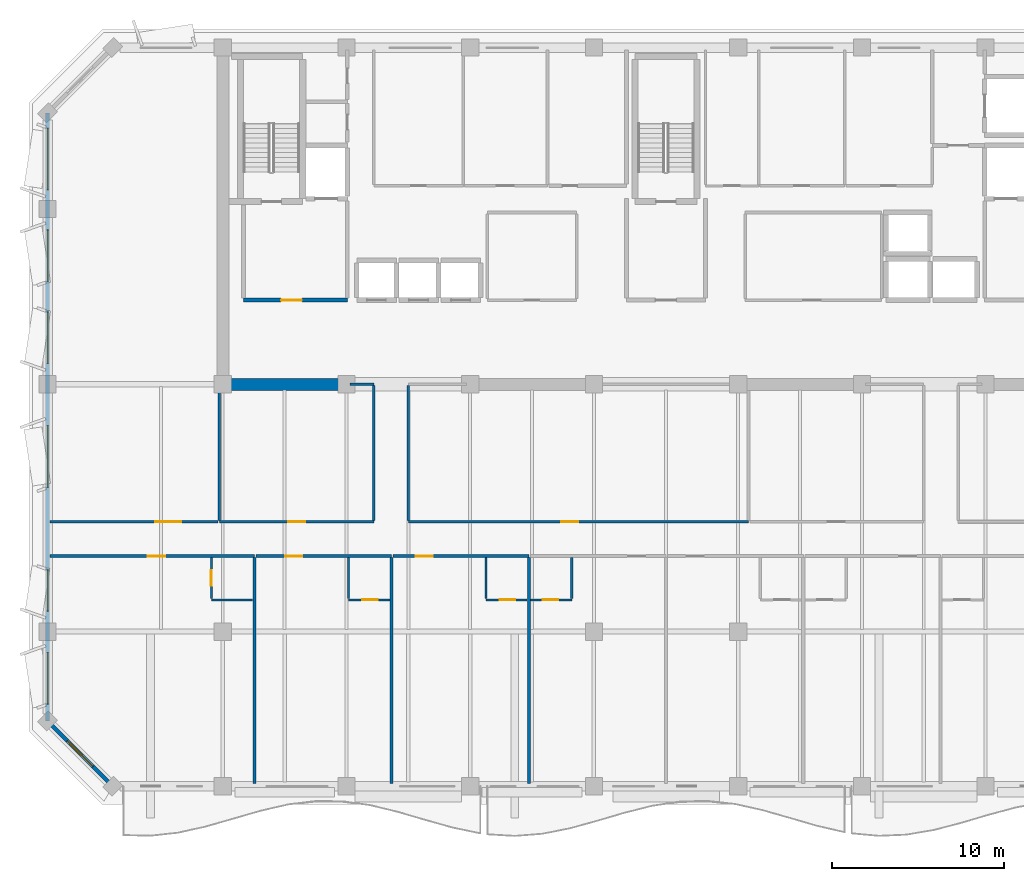
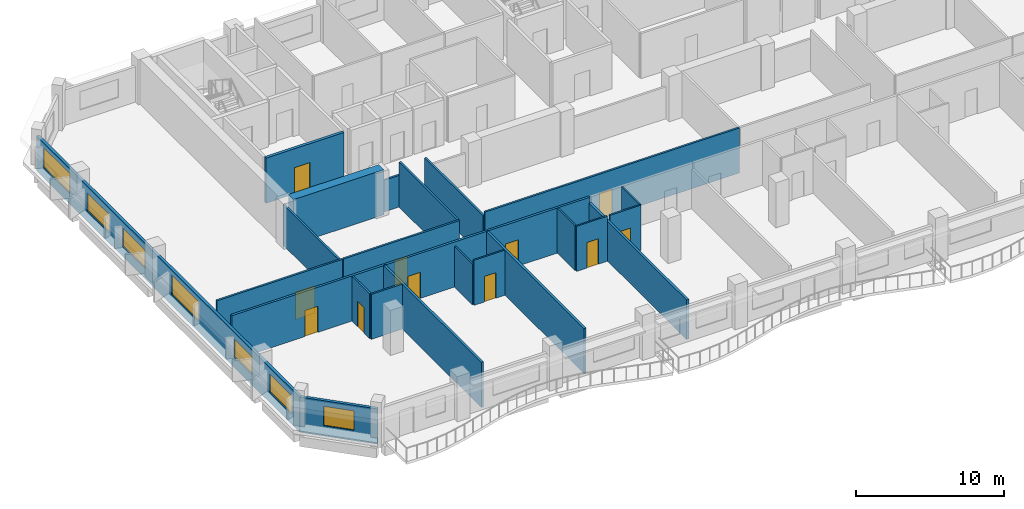
# One storey, part 3 of 11: 25 walls, 11 doors, 7 windows, 18 openings.
"""IFC4 building model written with IfcOpenShell, lengths in metres."""

from ifc_helpers import new_model, si_unit, direction, frame, frame_2d, origin, place, context, subcontext, project, spatial, rectangle, extrude, material, layer, layer_set, type_object, element, fill, save


model = new_model("IFC4")

# Units and contexts
model_context = context("Model", 3, precision=1e-05, world=origin(), true_north=direction((0.0, 1.0)))
body_context = subcontext(model_context, "Body", "Model", "MODEL_VIEW")
ifc_project = project(units=[si_unit("LENGTHUNIT", "METRE"), si_unit("AREAUNIT", "SQUARE_METRE"), si_unit("VOLUMEUNIT", "CUBIC_METRE"), si_unit("PLANEANGLEUNIT", "RADIAN"), si_unit("MASSUNIT", "GRAM", prefix="KILO")], contexts=[model_context])

# Site, building, storey
site_placement = place(None, origin())
site = spatial("IfcSite", under=ifc_project, at=site_placement, CompositionType="ELEMENT")
building_placement = place(site_placement, origin())
building = spatial("IfcBuilding", under=site, at=building_placement, Name="Kaelvorn Grand Hotel", CompositionType="ELEMENT")
storey_placement = place(building_placement, frame((0.0, 0.0, 244.949951171875)))
storey = spatial("IfcBuildingStorey", under=building, at=storey_placement, Name="L60", CompositionType="ELEMENT", Elevation=244.949951171875)

# Wall
ifc_material_1 = material(Name="Concrete C50/60", Category="concrete")
ifc_layer_1 = layer(ifc_material_1, 0.699951171875)
ifc_layer_set_1 = layer_set([ifc_layer_1], Name="Concrete C50/60")
wall_type_1 = type_object("IfcWallType", Name="WL-CORE-700-C50", PredefinedType="SHEAR", material=ifc_layer_set_1)
wall_1_placement = place(storey_placement, frame((16.554931640625, 29.39990234375, 0.0), z_axis=(0.0, 0.0, 1.0), x_axis=(1.0, 0.0, 0.0)))
element("IfcWall", 1, at=wall_1_placement, inside=storey, type_object=wall_type_1, Name="L60 Rear-Core Coupled Shear Pier S1", PredefinedType="SHEAR", context=body_context, shape_type="SweptSolid", body=[
    extrude(rectangle(XDim=7.045166015625, YDim=0.699951171875, at=frame_2d((3.5224609375, 0.0))), origin(), (0.0, 0.0, 1.0), 3.7099609375),
])

# Wall, openings, windows
ifc_material_2 = material(Name="Concrete C40/50", Category="concrete")
ifc_layer_2 = layer(ifc_material_2, 0.219970703125)
ifc_layer_set_2 = layer_set([ifc_layer_2], Name="Concrete C40/50")
wall_type_2 = type_object("IfcWallType", Name="WL-EXT-220-C40", PredefinedType="SOLIDWALL", material=ifc_layer_set_2)
wall_2_placement = place(storey_placement, frame((6.0, 45.199951171875, 0.0), z_axis=(0.0, 0.0, 1.0), x_axis=(0.0, -1.0, 0.0)))
wall_2 = element("IfcWall", 2, at=wall_2_placement, inside=storey, type_object=wall_type_2, Name="L60 Exterior Architectural Concrete Wall 07", PredefinedType="SOLIDWALL", context=body_context, shape_type="SweptSolid", body=[
    extrude(rectangle(XDim=35.39990234375, YDim=0.219970703125, at=frame_2d((17.699951171875, 0.0))), origin(), (0.0, 0.0, 1.0), 2.91015625),
])
opening_1_placement = place(wall_2_placement, frame((31.4150390625, 0.0, 0.85009765625)))
opening_1 = element("IfcOpeningElement", 3, at=opening_1_placement, cuts=wall_2, Name="Opening W5", PredefinedType="OPENING", context=body_context, shape_type="SweptSolid", body=[
    extrude(rectangle(XDim=3.0, YDim=1.5, at=frame_2d((1.5, 0.75))), frame((0.0, 0.1201171875, 0.0), z_axis=(0.0, -1.0, 0.0), x_axis=(1.0, 0.0, 0.0)), (0.0, 0.0, 1.0), 0.239990234375),
])
opening_2_placement = place(wall_2_placement, frame((26.60009765625, 0.0, 0.85009765625)))
opening_2 = element("IfcOpeningElement", 4, at=opening_2_placement, cuts=wall_2, Name="Opening W6", PredefinedType="OPENING", context=body_context, shape_type="SweptSolid", body=[
    extrude(rectangle(XDim=2.39990234375, YDim=1.5, at=frame_2d((1.199951171875, 0.75))), frame((0.0, 0.1201171875, 0.0), z_axis=(0.0, -1.0, 0.0), x_axis=(1.0, 0.0, 0.0)), (0.0, 0.0, 1.0), 0.239990234375),
])
opening_3_placement = place(wall_2_placement, frame((18.199951171875, 0.0, 0.85009765625)))
opening_3 = element("IfcOpeningElement", 5, at=opening_3_placement, cuts=wall_2, Name="Opening W3", PredefinedType="OPENING", context=body_context, shape_type="SweptSolid", body=[
    extrude(rectangle(XDim=3.60009765625, YDim=1.64990234375, at=frame_2d((1.800048828125, 0.824951171875))), frame((0.0, 0.1201171875, 0.0), z_axis=(0.0, -1.0, 0.0), x_axis=(1.0, 0.0, 0.0)), (0.0, 0.0, 1.0), 0.239990234375),
])
opening_4_placement = place(wall_2_placement, frame((11.5849609375, 0.0, 0.85009765625)))
opening_4 = element("IfcOpeningElement", 6, at=opening_4_placement, cuts=wall_2, Name="Opening W5", PredefinedType="OPENING", context=body_context, shape_type="SweptSolid", body=[
    extrude(rectangle(XDim=3.0, YDim=1.5, at=frame_2d((1.5, 0.75))), frame((0.0, 0.1201171875, 0.0), z_axis=(0.0, -1.0, 0.0), x_axis=(1.0, 0.0, 0.0)), (0.0, 0.0, 1.0), 0.239990234375),
])
opening_5_placement = place(wall_2_placement, frame((6.81494140625, 0.0, 0.85009765625)))
opening_5 = element("IfcOpeningElement", 7, at=opening_5_placement, cuts=wall_2, Name="Opening W5", PredefinedType="OPENING", context=body_context, shape_type="SweptSolid", body=[
    extrude(rectangle(XDim=3.0, YDim=1.5, at=frame_2d((1.5, 0.75))), frame((0.0, 0.1201171875, 0.0), z_axis=(0.0, -1.0, 0.0), x_axis=(1.0, 0.0, 0.0)), (0.0, 0.0, 1.0), 0.239990234375),
])
opening_6_placement = place(wall_2_placement, frame((0.885009765625, 0.0, 0.85009765625)))
opening_6 = element("IfcOpeningElement", 8, at=opening_6_placement, cuts=wall_2, Name="Opening W3", PredefinedType="OPENING", context=body_context, shape_type="SweptSolid", body=[
    extrude(rectangle(XDim=3.60009765625, YDim=1.64990234375, at=frame_2d((1.800048828125, 0.824951171875))), frame((0.0, 0.1201171875, 0.0), z_axis=(0.0, -1.0, 0.0), x_axis=(1.0, 0.0, 0.0)), (0.0, 0.0, 1.0), 0.239990234375),
])
ifc_material_3 = material(Name="Laminated Low-E Glass", Category="glass")
window_type_1 = type_object("IfcWindowType", Name="WIN-NTH-2400x1500", PartitioningType="SINGLE_PANEL", PredefinedType="WINDOW", material=ifc_material_3)
window_1_placement = place(opening_2_placement, origin())
window_1 = element("IfcWindow", 9, at=window_1_placement, inside=storey, type_object=window_type_1, Name="L60 W Wing Tilted-Frame Ribbon Window W02", OverallHeight=1.5, OverallWidth=2.39990234375, PartitioningType="SINGLE_PANEL", PredefinedType="WINDOW", context=body_context, shape_type="SweptSolid", body=[
    extrude(rectangle(XDim=2.39990234375, YDim=1.5, at=frame_2d((1.199951171875, 0.75))), frame((0.0, 0.030029296875, 0.0), z_axis=(0.0, -1.0, 0.0), x_axis=(1.0, 0.0, 0.0)), (0.0, 0.0, 1.0), 0.06005859375),
])
fill(opening_2, window_1)
window_type_2 = type_object("IfcWindowType", Name="WIN-NTH-3000x1500", PartitioningType="SINGLE_PANEL", PredefinedType="WINDOW", material=ifc_material_3)
window_2_placement = place(opening_1_placement, origin())
window_2 = element("IfcWindow", 10, at=window_2_placement, inside=storey, type_object=window_type_2, Name="L60 W Wing Tilted-Frame Ribbon Window W01", OverallHeight=1.5, OverallWidth=3.0, PartitioningType="SINGLE_PANEL", PredefinedType="WINDOW", context=body_context, shape_type="SweptSolid", body=[
    extrude(rectangle(XDim=3.0, YDim=1.5, at=frame_2d((1.5, 0.75))), frame((0.0, 0.030029296875, 0.0), z_axis=(0.0, -1.0, 0.0), x_axis=(1.0, 0.0, 0.0)), (0.0, 0.0, 1.0), 0.06005859375),
])
fill(opening_1, window_2)
window_3_placement = place(opening_4_placement, origin())
window_3 = element("IfcWindow", 11, at=window_3_placement, inside=storey, type_object=window_type_2, Name="L60 W Wing Tilted-Frame Ribbon Window W04", OverallHeight=1.5, OverallWidth=3.0, PartitioningType="SINGLE_PANEL", PredefinedType="WINDOW", context=body_context, shape_type="SweptSolid", body=[
    extrude(rectangle(XDim=3.0, YDim=1.5, at=frame_2d((1.5, 0.75))), frame((0.0, 0.030029296875, 0.0), z_axis=(0.0, -1.0, 0.0), x_axis=(1.0, 0.0, 0.0)), (0.0, 0.0, 1.0), 0.06005859375),
])
fill(opening_4, window_3)
window_4_placement = place(opening_5_placement, origin())
window_4 = element("IfcWindow", 12, at=window_4_placement, inside=storey, type_object=window_type_2, Name="L60 W Wing Tilted-Frame Ribbon Window W05", OverallHeight=1.5, OverallWidth=3.0, PartitioningType="SINGLE_PANEL", PredefinedType="WINDOW", context=body_context, shape_type="SweptSolid", body=[
    extrude(rectangle(XDim=3.0, YDim=1.5, at=frame_2d((1.5, 0.75))), frame((0.0, 0.030029296875, 0.0), z_axis=(0.0, -1.0, 0.0), x_axis=(1.0, 0.0, 0.0)), (0.0, 0.0, 1.0), 0.06005859375),
])
fill(opening_5, window_4)
window_type_3 = type_object("IfcWindowType", Name="WIN-RIB-3600x1750", PartitioningType="SINGLE_PANEL", PredefinedType="WINDOW", material=ifc_material_3)
window_5_placement = place(opening_3_placement, origin())
window_5 = element("IfcWindow", 13, at=window_5_placement, inside=storey, type_object=window_type_3, Name="L60 W Wing Tilted-Frame Ribbon Window W03", OverallHeight=1.64990234375, OverallWidth=3.60009765625, PartitioningType="SINGLE_PANEL", PredefinedType="WINDOW", context=body_context, shape_type="SweptSolid", body=[
    extrude(rectangle(XDim=3.60009765625, YDim=1.64990234375, at=frame_2d((1.800048828125, 0.824951171875))), frame((0.0, 0.030029296875, 0.0), z_axis=(0.0, -1.0, 0.0), x_axis=(1.0, 0.0, 0.0)), (0.0, 0.0, 1.0), 0.06005859375),
])
fill(opening_3, window_5)
window_6_placement = place(opening_6_placement, origin())
window_6 = element("IfcWindow", 14, at=window_6_placement, inside=storey, type_object=window_type_3, Name="L60 W Wing Tilted-Frame Ribbon Window W06", OverallHeight=1.64990234375, OverallWidth=3.60009765625, PartitioningType="SINGLE_PANEL", PredefinedType="WINDOW", context=body_context, shape_type="SweptSolid", body=[
    extrude(rectangle(XDim=3.60009765625, YDim=1.64990234375, at=frame_2d((1.800048828125, 0.824951171875))), frame((0.0, 0.030029296875, 0.0), z_axis=(0.0, -1.0, 0.0), x_axis=(1.0, 0.0, 0.0)), (0.0, 0.0, 1.0), 0.06005859375),
])
fill(opening_6, window_6)

# Wall, opening, window
wall_3_placement = place(storey_placement, frame((6.0, 9.800048828125, 0.0), z_axis=(0.0, 0.0, 1.0), x_axis=(0.707106781187, -0.707106781187, 0.0)))
wall_3 = element("IfcWall", 15, at=wall_3_placement, inside=storey, type_object=wall_type_2, Name="L60 Exterior Architectural Concrete Wall 08", PredefinedType="SOLIDWALL", context=body_context, shape_type="SweptSolid", body=[
    extrude(rectangle(XDim=5.3740234375, YDim=0.219970703125, at=frame_2d((2.68701171875, 0.0))), origin(), (0.0, 0.0, 1.0), 2.91015625),
])
opening_7_placement = place(wall_3_placement, frame((1.636962890625, 0.0, 0.85009765625)))
opening_7 = element("IfcOpeningElement", 16, at=opening_7_placement, cuts=wall_3, Name="Opening W7", PredefinedType="OPENING", context=body_context, shape_type="SweptSolid", body=[
    extrude(rectangle(XDim=2.10009765625, YDim=1.60009765625, at=frame_2d((1.050048828125, 0.800048828125))), frame((0.0, 0.1201171875, 0.0), z_axis=(0.0, -1.0, 0.0), x_axis=(1.0, 0.0, 0.0)), (0.0, 0.0, 1.0), 0.239990234375),
])
window_type_4 = type_object("IfcWindowType", Name="WIN-CHM-2100x1600", PartitioningType="SINGLE_PANEL", PredefinedType="WINDOW", material=ifc_material_3)
window_7_placement = place(opening_7_placement, origin())
window_7 = element("IfcWindow", 17, at=window_7_placement, inside=storey, type_object=window_type_4, Name="L60 Chamfered 45-Degree Corner Window SW", OverallHeight=1.60009765625, OverallWidth=2.10009765625, PartitioningType="SINGLE_PANEL", PredefinedType="WINDOW", context=body_context, shape_type="SweptSolid", body=[
    extrude(rectangle(XDim=2.10009765625, YDim=1.60009765625, at=frame_2d((1.050048828125, 0.800048828125))), frame((0.0, 0.030029296875, 0.0), z_axis=(0.0, -1.0, 0.0), x_axis=(1.0, 0.0, 0.0)), (0.0, 0.0, 1.0), 0.06005859375),
])
fill(opening_7, window_7)

# Wall
ifc_material_4 = material(Name="Moisture-Resistant Tile & Stud Board")
ifc_layer_3 = layer(ifc_material_4, 0.125)
ifc_layer_set_3 = layer_set([ifc_layer_3], Name="Moisture-Resistant Tile & Stud Board")
wall_type_3 = type_object("IfcWallType", Name="WL-PART-125-WET", PredefinedType="PARTITIONING", material=ifc_layer_set_3)
wall_4_placement = place(storey_placement, frame((15.53759765625, 16.85009765625, 0.0), z_axis=(0.0, 0.0, 1.0), x_axis=(1.0, 0.0, 0.0)))
element("IfcWall", 18, at=wall_4_placement, inside=storey, type_object=wall_type_3, Name="L60 En-suite Bathroom L60-01 S Partition", PredefinedType="PARTITIONING", context=body_context, shape_type="SweptSolid", body=[
    extrude(rectangle(XDim=2.40478515625, YDim=0.125, at=frame_2d((1.202392578125, 0.0))), origin(), (0.0, 0.0, 1.0), 3.7099609375),
])

# Wall, opening, door
wall_5_placement = place(storey_placement, frame((15.53759765625, 16.91748046875, 0.0), z_axis=(0.0, 0.0, 1.0), x_axis=(0.0, 1.0, 0.0)))
wall_5 = element("IfcWall", 19, at=wall_5_placement, inside=storey, type_object=wall_type_3, Name="L60 En-suite Bathroom L60-01 W Partition", PredefinedType="PARTITIONING", context=body_context, shape_type="SweptSolid", body=[
    extrude(rectangle(XDim=2.387451171875, YDim=0.125, at=frame_2d((1.19384765625, 0.0))), origin(), (0.0, 0.0, 1.0), 3.7099609375),
])
opening_8_placement = place(wall_5_placement, frame((0.757568359375, 0.0, 0.0)))
opening_8 = element("IfcOpeningElement", 20, at=opening_8_placement, cuts=wall_5, Name="Opening DI4", PredefinedType="OPENING", context=body_context, shape_type="SweptSolid", body=[
    extrude(rectangle(XDim=0.89990234375, YDim=2.10009765625, at=frame_2d((0.449951171875, 1.050048828125))), frame((0.0, 0.072509765625, 0.0), z_axis=(0.0, -1.0, 0.0), x_axis=(1.0, 0.0, 0.0)), (0.0, 0.0, 1.0), 0.14501953125),
])
ifc_material_5 = material(Name="Timber Veneer Leaf", Category="wood")
door_type_1 = type_object("IfcDoorType", Name="DR-INT-BATH-900x2100", OperationType="NOTDEFINED", PredefinedType="DOOR", material=ifc_material_5)
door_1_placement = place(opening_8_placement, origin())
door_1 = element("IfcDoor", 21, at=door_1_placement, inside=storey, type_object=door_type_1, Name="L60 En-suite Bathroom L60-01 Door", OperationType="SINGLE_SWING_RIGHT", OverallHeight=2.10009765625, OverallWidth=0.89990234375, PredefinedType="DOOR", context=body_context, shape_type="SweptSolid", body=[
    extrude(rectangle(XDim=0.89990234375, YDim=2.10009765625, at=frame_2d((0.449951171875, 1.050048828125))), frame((0.0, 0.02490234375, 0.0), z_axis=(0.0, -1.0, 0.0), x_axis=(1.0, 0.0, 0.0)), (0.0, 0.0, 1.0), 0.050048828125),
])
fill(opening_8, door_1)

wall_6_placement = place(storey_placement, frame((23.52490234375, 16.85009765625, 0.0), z_axis=(0.0, 0.0, 1.0), x_axis=(1.0, 0.0, 0.0)))
wall_6 = element("IfcWall", 22, at=wall_6_placement, inside=storey, type_object=wall_type_3, Name="L60 En-suite Bathroom L60-02 S Partition", PredefinedType="PARTITIONING", context=body_context, shape_type="SweptSolid", body=[
    extrude(rectangle(XDim=2.405029296875, YDim=0.125, at=frame_2d((1.20263671875, 0.0))), origin(), (0.0, 0.0, 1.0), 3.7099609375),
])
opening_9_placement = place(wall_6_placement, frame((0.800048828125, 0.0, 0.0)))
opening_9 = element("IfcOpeningElement", 23, at=opening_9_placement, cuts=wall_6, Name="Opening DI4", PredefinedType="OPENING", context=body_context, shape_type="SweptSolid", body=[
    extrude(rectangle(XDim=0.89990234375, YDim=2.10009765625, at=frame_2d((0.449951171875, 1.050048828125))), frame((0.0, 0.072509765625, 0.0), z_axis=(0.0, -1.0, 0.0), x_axis=(1.0, 0.0, 0.0)), (0.0, 0.0, 1.0), 0.14501953125),
])
door_2_placement = place(opening_9_placement, origin())
door_2 = element("IfcDoor", 24, at=door_2_placement, inside=storey, type_object=door_type_1, Name="L60 En-suite Bathroom L60-02 Door", OperationType="SINGLE_SWING_RIGHT", OverallHeight=2.10009765625, OverallWidth=0.89990234375, PredefinedType="DOOR", context=body_context, shape_type="SweptSolid", body=[
    extrude(rectangle(XDim=0.89990234375, YDim=2.10009765625, at=frame_2d((0.449951171875, 1.050048828125))), frame((0.0, 0.02490234375, 0.0), z_axis=(0.0, -1.0, 0.0), x_axis=(1.0, 0.0, 0.0)), (0.0, 0.0, 1.0), 0.050048828125),
])
fill(opening_9, door_2)

# Wall
wall_7_placement = place(storey_placement, frame((23.52490234375, 16.91748046875, 0.0), z_axis=(0.0, 0.0, 1.0), x_axis=(0.0, 1.0, 0.0)))
element("IfcWall", 25, at=wall_7_placement, inside=storey, type_object=wall_type_3, Name="L60 En-suite Bathroom L60-02 W Partition", PredefinedType="PARTITIONING", context=body_context, shape_type="SweptSolid", body=[
    extrude(rectangle(XDim=2.387451171875, YDim=0.125, at=frame_2d((1.19384765625, 0.0))), origin(), (0.0, 0.0, 1.0), 3.35009765625),
])

# Wall, opening, door
wall_8_placement = place(storey_placement, frame((31.512451171875, 16.85009765625, 0.0), z_axis=(0.0, 0.0, 1.0), x_axis=(1.0, 0.0, 0.0)))
wall_8 = element("IfcWall", 26, at=wall_8_placement, inside=storey, type_object=wall_type_3, Name="L60 En-suite Bathroom L60-03 S Partition", PredefinedType="PARTITIONING", context=body_context, shape_type="SweptSolid", body=[
    extrude(rectangle(XDim=2.405029296875, YDim=0.125, at=frame_2d((1.20263671875, 0.0))), origin(), (0.0, 0.0, 1.0), 3.7099609375),
])
opening_10_placement = place(wall_8_placement, frame((0.800048828125, 0.0, 0.0)))
opening_10 = element("IfcOpeningElement", 27, at=opening_10_placement, cuts=wall_8, Name="Opening DI4", PredefinedType="OPENING", context=body_context, shape_type="SweptSolid", body=[
    extrude(rectangle(XDim=0.89990234375, YDim=2.10009765625, at=frame_2d((0.449951171875, 1.050048828125))), frame((0.0, 0.072509765625, 0.0), z_axis=(0.0, -1.0, 0.0), x_axis=(1.0, 0.0, 0.0)), (0.0, 0.0, 1.0), 0.14501953125),
])
door_3_placement = place(opening_10_placement, origin())
door_3 = element("IfcDoor", 28, at=door_3_placement, inside=storey, type_object=door_type_1, Name="L60 En-suite Bathroom L60-03 Door", OperationType="SINGLE_SWING_RIGHT", OverallHeight=2.10009765625, OverallWidth=0.89990234375, PredefinedType="DOOR", context=body_context, shape_type="SweptSolid", body=[
    extrude(rectangle(XDim=0.89990234375, YDim=2.10009765625, at=frame_2d((0.449951171875, 1.050048828125))), frame((0.0, 0.02490234375, 0.0), z_axis=(0.0, -1.0, 0.0), x_axis=(1.0, 0.0, 0.0)), (0.0, 0.0, 1.0), 0.050048828125),
])
fill(opening_10, door_3)

# Wall
wall_9_placement = place(storey_placement, frame((31.512451171875, 16.91748046875, 0.0), z_axis=(0.0, 0.0, 1.0), x_axis=(0.0, 1.0, 0.0)))
element("IfcWall", 29, at=wall_9_placement, inside=storey, type_object=wall_type_3, Name="L60 En-suite Bathroom L60-03 W Partition", PredefinedType="PARTITIONING", context=body_context, shape_type="SweptSolid", body=[
    extrude(rectangle(XDim=2.387451171875, YDim=0.125, at=frame_2d((1.19384765625, 0.0))), origin(), (0.0, 0.0, 1.0), 3.7099609375),
])

# Wall, opening, door
wall_10_placement = place(storey_placement, frame((34.107421875, 16.85009765625, 0.0), z_axis=(0.0, 0.0, 1.0), x_axis=(1.0, 0.0, 0.0)))
wall_10 = element("IfcWall", 30, at=wall_10_placement, inside=storey, type_object=wall_type_3, Name="L60 En-suite Bathroom L60-04 S Partition", PredefinedType="PARTITIONING", context=body_context, shape_type="SweptSolid", body=[
    extrude(rectangle(XDim=2.405029296875, YDim=0.125, at=frame_2d((1.20263671875, 0.0))), origin(), (0.0, 0.0, 1.0), 3.7099609375),
])
opening_11_placement = place(wall_10_placement, frame((0.705078125, 0.0, 0.0)))
opening_11 = element("IfcOpeningElement", 31, at=opening_11_placement, cuts=wall_10, Name="Opening DI4", PredefinedType="OPENING", context=body_context, shape_type="SweptSolid", body=[
    extrude(rectangle(XDim=0.89990234375, YDim=2.10009765625, at=frame_2d((0.449951171875, 1.050048828125))), frame((0.0, 0.072509765625, 0.0), z_axis=(0.0, -1.0, 0.0), x_axis=(1.0, 0.0, 0.0)), (0.0, 0.0, 1.0), 0.14501953125),
])
door_4_placement = place(opening_11_placement, origin())
door_4 = element("IfcDoor", 32, at=door_4_placement, inside=storey, type_object=door_type_1, Name="L60 En-suite Bathroom L60-04 Door", OperationType="SINGLE_SWING_RIGHT", OverallHeight=2.10009765625, OverallWidth=0.89990234375, PredefinedType="DOOR", context=body_context, shape_type="SweptSolid", body=[
    extrude(rectangle(XDim=0.89990234375, YDim=2.10009765625, at=frame_2d((0.449951171875, 1.050048828125))), frame((0.0, 0.02490234375, 0.0), z_axis=(0.0, -1.0, 0.0), x_axis=(1.0, 0.0, 0.0)), (0.0, 0.0, 1.0), 0.050048828125),
])
fill(opening_11, door_4)

# Wall
wall_11_placement = place(storey_placement, frame((36.512451171875, 16.91748046875, 0.0), z_axis=(0.0, 0.0, 1.0), x_axis=(0.0, 1.0, 0.0)))
element("IfcWall", 33, at=wall_11_placement, inside=storey, type_object=wall_type_3, Name="L60 En-suite Bathroom L60-04 E Partition", PredefinedType="PARTITIONING", context=body_context, shape_type="SweptSolid", body=[
    extrude(rectangle(XDim=2.387451171875, YDim=0.125, at=frame_2d((1.19384765625, 0.0))), origin(), (0.0, 0.0, 1.0), 3.7099609375),
])

# Wall, opening, door
ifc_material_6 = material(Name="Acoustic Gypsum & Stud Partition")
ifc_layer_4 = layer(ifc_material_6, 0.14990234375)
ifc_layer_set_4 = layer_set([ifc_layer_4], Name="Acoustic Gypsum & Stud Partition")
wall_type_4 = type_object("IfcWallType", Name="WL-PART-150-EI60", PredefinedType="PARTITIONING", material=ifc_layer_set_4)
wall_12_placement = place(storey_placement, frame((16.0, 21.39990234375, 0.0), z_axis=(0.0, 0.0, 1.0), x_axis=(1.0, 0.0, 0.0)))
wall_12 = element("IfcWall", 34, at=wall_12_placement, inside=storey, type_object=wall_type_4, Name="L60 Private Dining Restaurant S Partition", PredefinedType="PARTITIONING", context=body_context, shape_type="SweptSolid", body=[
    extrude(rectangle(XDim=9.0, YDim=0.14990234375, at=frame_2d((4.5, 0.0))), origin(), (0.0, 0.0, 1.0), 3.7099609375),
])
opening_12_placement = place(wall_12_placement, frame((4.0, 0.0, 0.0)))
opening_12 = element("IfcOpeningElement", 35, at=opening_12_placement, cuts=wall_12, Name="Opening DI3", PredefinedType="OPENING", context=body_context, shape_type="SweptSolid", body=[
    extrude(rectangle(XDim=1.0, YDim=2.14990234375, at=frame_2d((0.5, 1.074951171875))), frame((0.0, 0.0849609375, 0.0), z_axis=(0.0, -1.0, 0.0), x_axis=(1.0, 0.0, 0.0)), (0.0, 0.0, 1.0), 0.169921875),
])
ifc_material_7 = material(Name="Timber Veneer Fire Leaf", Category="wood")
door_type_2 = type_object("IfcDoorType", Name="DR-INT-GUEST-1000x2150", OperationType="NOTDEFINED", PredefinedType="DOOR", material=ifc_material_7)
door_5_placement = place(opening_12_placement, origin())
door_5 = element("IfcDoor", 36, at=door_5_placement, inside=storey, type_object=door_type_2, Name="L60 Private Dining Restaurant Door", OperationType="SINGLE_SWING_LEFT", OverallHeight=2.14990234375, OverallWidth=1.0, PredefinedType="DOOR", context=body_context, shape_type="SweptSolid", body=[
    extrude(rectangle(XDim=1.0, YDim=2.14990234375, at=frame_2d((0.5, 1.074951171875))), frame((0.0, 0.02490234375, 0.0), z_axis=(0.0, -1.0, 0.0), x_axis=(1.0, 0.0, 0.0)), (0.0, 0.0, 1.0), 0.050048828125),
])
fill(opening_12, door_5)

# Walls
wall_13_placement = place(storey_placement, frame((23.610107421875, 29.39990234375, 0.0), z_axis=(0.0, 0.0, 1.0), x_axis=(1.0, 0.0, 0.0)))
element("IfcWall", 37, at=wall_13_placement, inside=storey, type_object=wall_type_4, Name="L60 Private Dining Restaurant N Partition", PredefinedType="PARTITIONING", context=body_context, shape_type="SweptSolid", body=[
    extrude(rectangle(XDim=1.389892578125, YDim=0.14990234375, at=frame_2d((0.69482421875, 0.0))), origin(), (0.0, 0.0, 1.0), 2.610107421875),
])
wall_14_placement = place(storey_placement, frame((16.0, 21.47998046875, 0.0), z_axis=(0.0, 0.0, 1.0), x_axis=(0.0, 1.0, 0.0)))
element("IfcWall", 38, at=wall_14_placement, inside=storey, type_object=wall_type_4, Name="L60 Private Dining Restaurant W Partition", PredefinedType="PARTITIONING", context=body_context, shape_type="SweptSolid", body=[
    extrude(rectangle(XDim=7.909912109375, YDim=0.14990234375, at=frame_2d((3.955078125, 0.0))), origin(), (0.0, 0.0, 1.0), 3.35009765625),
])
wall_15_placement = place(storey_placement, frame((25.0, 21.47998046875, 0.0), z_axis=(0.0, 0.0, 1.0), x_axis=(0.0, 1.0, 0.0)))
element("IfcWall", 39, at=wall_15_placement, inside=storey, type_object=wall_type_4, Name="L60 Private Dining Restaurant E Partition", PredefinedType="PARTITIONING", context=body_context, shape_type="SweptSolid", body=[
    extrude(rectangle(XDim=7.840087890625, YDim=0.14990234375, at=frame_2d((3.919921875, 0.0))), origin(), (0.0, 0.0, 1.0), 3.7099609375),
])

# Wall, opening, door
wall_16_placement = place(storey_placement, frame((27.0, 21.39990234375, 0.0), z_axis=(0.0, 0.0, 1.0), x_axis=(1.0, 0.0, 0.0)))
wall_16 = element("IfcWall", 40, at=wall_16_placement, inside=storey, type_object=wall_type_4, Name="L60 Hospitality Tea Kitchen S Partition", PredefinedType="PARTITIONING", context=body_context, shape_type="SweptSolid", body=[
    extrude(rectangle(XDim=19.800048828125, YDim=0.14990234375, at=frame_2d((9.89990234375, 0.0))), origin(), (0.0, 0.0, 1.0), 3.7099609375),
])
opening_13_placement = place(wall_16_placement, frame((8.89990234375, 0.0, 0.0)))
opening_13 = element("IfcOpeningElement", 41, at=opening_13_placement, cuts=wall_16, Name="Opening DI3", PredefinedType="OPENING", context=body_context, shape_type="SweptSolid", body=[
    extrude(rectangle(XDim=1.0, YDim=2.14990234375, at=frame_2d((0.5, 1.074951171875))), frame((0.0, 0.0849609375, 0.0), z_axis=(0.0, -1.0, 0.0), x_axis=(1.0, 0.0, 0.0)), (0.0, 0.0, 1.0), 0.169921875),
])
door_6_placement = place(opening_13_placement, origin())
door_6 = element("IfcDoor", 42, at=door_6_placement, inside=storey, type_object=door_type_2, Name="L60 Hospitality Tea Kitchen Door", OperationType="SINGLE_SWING_RIGHT", OverallHeight=2.14990234375, OverallWidth=1.0, PredefinedType="DOOR", context=body_context, shape_type="SweptSolid", body=[
    extrude(rectangle(XDim=1.0, YDim=2.14990234375, at=frame_2d((0.5, 1.074951171875))), frame((0.0, 0.02490234375, 0.0), z_axis=(0.0, -1.0, 0.0), x_axis=(1.0, 0.0, 0.0)), (0.0, 0.0, 1.0), 0.050048828125),
])
fill(opening_13, door_6)

# Wall
wall_17_placement = place(storey_placement, frame((27.0, 21.47998046875, 0.0), z_axis=(0.0, 0.0, 1.0), x_axis=(0.0, 1.0, 0.0)))
element("IfcWall", 43, at=wall_17_placement, inside=storey, type_object=wall_type_4, Name="L60 Hospitality Tea Kitchen W Partition", PredefinedType="PARTITIONING", context=body_context, shape_type="SweptSolid", body=[
    extrude(rectangle(XDim=7.840087890625, YDim=0.14990234375, at=frame_2d((3.919921875, 0.0))), origin(), (0.0, 0.0, 1.0), 3.35009765625),
])

# Wall, opening, door
wall_18_placement = place(storey_placement, frame((6.14990234375, 21.39990234375, 0.0), z_axis=(0.0, 0.0, 1.0), x_axis=(1.0, 0.0, 0.0)))
wall_18 = element("IfcWall", 44, at=wall_18_placement, inside=storey, type_object=wall_type_4, Name="L60 West Sky Wellness Fitness Gym S Partition", PredefinedType="PARTITIONING", context=body_context, shape_type="SweptSolid", body=[
    extrude(rectangle(XDim=9.77001953125, YDim=0.14990234375, at=frame_2d((4.885009765625, 0.0))), origin(), (0.0, 0.0, 1.0), 3.7099609375),
])
opening_14_placement = place(wall_18_placement, frame((6.1298828125, 0.0, 0.0)))
opening_14 = element("IfcOpeningElement", 45, at=opening_14_placement, cuts=wall_18, Name="Opening DI5", PredefinedType="OPENING", context=body_context, shape_type="SweptSolid", body=[
    extrude(rectangle(XDim=1.5, YDim=2.25, at=frame_2d((0.75, 1.125))), frame((0.0, 0.0849609375, 0.0), z_axis=(0.0, -1.0, 0.0), x_axis=(1.0, 0.0, 0.0)), (0.0, 0.0, 1.0), 0.169921875),
])
door_type_3 = type_object("IfcDoorType", Name="DR-INT-SALON-1500x2250", OperationType="DOUBLE_DOOR_SINGLE_SWING", PredefinedType="DOOR", material=ifc_material_7)
door_7_placement = place(opening_14_placement, origin())
door_7 = element("IfcDoor", 46, at=door_7_placement, inside=storey, type_object=door_type_3, Name="L60 West Sky Wellness Fitness Gym Door", OperationType="DOUBLE_DOOR_SINGLE_SWING", OverallHeight=2.25, OverallWidth=1.5, PredefinedType="DOOR", context=body_context, shape_type="SweptSolid", body=[
    extrude(rectangle(XDim=1.5, YDim=2.25, at=frame_2d((0.75, 1.125))), frame((0.0, 0.02490234375, 0.0), z_axis=(0.0, -1.0, 0.0), x_axis=(1.0, 0.0, 0.0)), (0.0, 0.0, 1.0), 0.050048828125),
])
fill(opening_14, door_7)

ifc_layer_5 = layer(ifc_material_6, 0.179931640625)
ifc_layer_set_5 = layer_set([ifc_layer_5], Name="Acoustic Gypsum & Stud Partition")
wall_type_5 = type_object("IfcWallType", Name="WL-PART-180-EI60", PredefinedType="PARTITIONING", material=ifc_layer_set_5)
wall_19_placement = place(storey_placement, frame((6.14990234375, 19.39990234375, 0.0), z_axis=(0.0, 0.0, 1.0), x_axis=(1.0, 0.0, 0.0)))
wall_19 = element("IfcWall", 47, at=wall_19_placement, inside=storey, type_object=wall_type_5, Name="L60 Ambassador Sky Suite L60-01 N Partition", PredefinedType="PARTITIONING", context=body_context, shape_type="SweptSolid", body=[
    extrude(rectangle(XDim=11.8876953125, YDim=0.179931640625, at=frame_2d((5.94384765625, 0.0))), origin(), (0.0, 0.0, 1.0), 3.7099609375),
])
opening_15_placement = place(wall_19_placement, frame((5.69384765625, 0.0, 0.0)))
opening_15 = element("IfcOpeningElement", 48, at=opening_15_placement, cuts=wall_19, Name="Opening DI3", PredefinedType="OPENING", context=body_context, shape_type="SweptSolid", body=[
    extrude(rectangle(XDim=1.0, YDim=2.14990234375, at=frame_2d((0.5, 1.074951171875))), frame((0.0, 0.10009765625, 0.0), z_axis=(0.0, -1.0, 0.0), x_axis=(1.0, 0.0, 0.0)), (0.0, 0.0, 1.0), 0.199951171875),
])
door_8_placement = place(opening_15_placement, origin())
door_8 = element("IfcDoor", 49, at=door_8_placement, inside=storey, type_object=door_type_2, Name="L60 Ambassador Sky Suite L60-01 Door", OperationType="SINGLE_SWING_LEFT", OverallHeight=2.14990234375, OverallWidth=1.0, PredefinedType="DOOR", context=body_context, shape_type="SweptSolid", body=[
    extrude(rectangle(XDim=1.0, YDim=2.14990234375, at=frame_2d((0.5, 1.074951171875))), frame((0.0, 0.02490234375, 0.0), z_axis=(0.0, -1.0, 0.0), x_axis=(1.0, 0.0, 0.0)), (0.0, 0.0, 1.0), 0.050048828125),
])
fill(opening_15, door_8)

# Wall
wall_20_placement = place(storey_placement, frame((18.03759765625, 6.14990234375, 0.0), z_axis=(0.0, 0.0, 1.0), x_axis=(0.0, 1.0, 0.0)))
element("IfcWall", 50, at=wall_20_placement, inside=storey, type_object=wall_type_5, Name="L60 Ambassador Sky Suite L60-01 E Partition", PredefinedType="PARTITIONING", context=body_context, shape_type="SweptSolid", body=[
    extrude(rectangle(XDim=13.155029296875, YDim=0.179931640625, at=frame_2d((6.57763671875, 0.0))), origin(), (0.0, 0.0, 1.0), 3.7099609375),
])

# Wall, opening, door
wall_21_placement = place(storey_placement, frame((18.132568359375, 19.39990234375, 0.0), z_axis=(0.0, 0.0, 1.0), x_axis=(1.0, 0.0, 0.0)))
wall_21 = element("IfcWall", 51, at=wall_21_placement, inside=storey, type_object=wall_type_5, Name="L60 Ambassador Junior Suite L60-02 N Partition", PredefinedType="PARTITIONING", context=body_context, shape_type="SweptSolid", body=[
    extrude(rectangle(XDim=7.892333984375, YDim=0.179931640625, at=frame_2d((3.9462890625, 0.0))), origin(), (0.0, 0.0, 1.0), 3.7099609375),
])
opening_16_placement = place(wall_21_placement, frame((1.6962890625, 0.0, 0.0)))
opening_16 = element("IfcOpeningElement", 52, at=opening_16_placement, cuts=wall_21, Name="Opening DI3", PredefinedType="OPENING", context=body_context, shape_type="SweptSolid", body=[
    extrude(rectangle(XDim=1.0, YDim=2.14990234375, at=frame_2d((0.5, 1.074951171875))), frame((0.0, 0.10009765625, 0.0), z_axis=(0.0, -1.0, 0.0), x_axis=(1.0, 0.0, 0.0)), (0.0, 0.0, 1.0), 0.199951171875),
])
door_9_placement = place(opening_16_placement, origin())
door_9 = element("IfcDoor", 53, at=door_9_placement, inside=storey, type_object=door_type_2, Name="L60 Ambassador Junior Suite L60-02 Door", OperationType="SINGLE_SWING_LEFT", OverallHeight=2.14990234375, OverallWidth=1.0, PredefinedType="DOOR", context=body_context, shape_type="SweptSolid", body=[
    extrude(rectangle(XDim=1.0, YDim=2.14990234375, at=frame_2d((0.5, 1.074951171875))), frame((0.0, 0.02490234375, 0.0), z_axis=(0.0, -1.0, 0.0), x_axis=(1.0, 0.0, 0.0)), (0.0, 0.0, 1.0), 0.050048828125),
])
fill(opening_16, door_9)

# Wall
wall_22_placement = place(storey_placement, frame((26.02490234375, 6.14990234375, 0.0), z_axis=(0.0, 0.0, 1.0), x_axis=(0.0, 1.0, 0.0)))
element("IfcWall", 54, at=wall_22_placement, inside=storey, type_object=wall_type_5, Name="L60 Ambassador Junior Suite L60-02 E Partition", PredefinedType="PARTITIONING", context=body_context, shape_type="SweptSolid", body=[
    extrude(rectangle(XDim=13.155029296875, YDim=0.179931640625, at=frame_2d((6.57763671875, 0.0))), origin(), (0.0, 0.0, 1.0), 3.7099609375),
])

# Wall, opening, door
wall_23_placement = place(storey_placement, frame((26.1201171875, 19.39990234375, 0.0), z_axis=(0.0, 0.0, 1.0), x_axis=(1.0, 0.0, 0.0)))
wall_23 = element("IfcWall", 55, at=wall_23_placement, inside=storey, type_object=wall_type_5, Name="L60 Ambassador Sky Suite L60-03 N Partition", PredefinedType="PARTITIONING", context=body_context, shape_type="SweptSolid", body=[
    extrude(rectangle(XDim=7.892333984375, YDim=0.179931640625, at=frame_2d((3.9462890625, 0.0))), origin(), (0.0, 0.0, 1.0), 3.7099609375),
])
opening_17_placement = place(wall_23_placement, frame((1.302490234375, 0.0, 0.0)))
opening_17 = element("IfcOpeningElement", 56, at=opening_17_placement, cuts=wall_23, Name="Opening DI3", PredefinedType="OPENING", context=body_context, shape_type="SweptSolid", body=[
    extrude(rectangle(XDim=1.0, YDim=2.14990234375, at=frame_2d((0.5, 1.074951171875))), frame((0.0, 0.10009765625, 0.0), z_axis=(0.0, -1.0, 0.0), x_axis=(1.0, 0.0, 0.0)), (0.0, 0.0, 1.0), 0.199951171875),
])
door_10_placement = place(opening_17_placement, origin())
door_10 = element("IfcDoor", 57, at=door_10_placement, inside=storey, type_object=door_type_2, Name="L60 Ambassador Sky Suite L60-03 Door", OperationType="SINGLE_SWING_LEFT", OverallHeight=2.14990234375, OverallWidth=1.0, PredefinedType="DOOR", context=body_context, shape_type="SweptSolid", body=[
    extrude(rectangle(XDim=1.0, YDim=2.14990234375, at=frame_2d((0.5, 1.074951171875))), frame((0.0, 0.02490234375, 0.0), z_axis=(0.0, -1.0, 0.0), x_axis=(1.0, 0.0, 0.0)), (0.0, 0.0, 1.0), 0.050048828125),
])
fill(opening_17, door_10)

# Wall
wall_24_placement = place(storey_placement, frame((34.012451171875, 6.14990234375, 0.0), z_axis=(0.0, 0.0, 1.0), x_axis=(0.0, 1.0, 0.0)))
element("IfcWall", 58, at=wall_24_placement, inside=storey, type_object=wall_type_5, Name="L60 Ambassador Sky Suite L60-03 E Partition", PredefinedType="PARTITIONING", context=body_context, shape_type="SweptSolid", body=[
    extrude(rectangle(XDim=13.155029296875, YDim=0.179931640625, at=frame_2d((6.57763671875, 0.0))), origin(), (0.0, 0.0, 1.0), 3.260009765625),
])

# Wall, opening, door
ifc_layer_6 = layer(ifc_material_2, 0.219970703125)
ifc_layer_set_6 = layer_set([ifc_layer_6], Name="Concrete C40/50")
wall_type_6 = type_object("IfcWallType", Name="WL-PART-220-EI120", PredefinedType="PARTITIONING", material=ifc_layer_set_6)
wall_25_placement = place(storey_placement, frame((17.39990234375, 34.300048828125, 0.0), z_axis=(0.0, 0.0, 1.0), x_axis=(1.0, 0.0, 0.0)))
wall_25 = element("IfcWall", 59, at=wall_25_placement, inside=storey, type_object=wall_type_6, Name="L60 Firefighting Lift Lobby 1 S Partition", PredefinedType="PARTITIONING", context=body_context, shape_type="SweptSolid", body=[
    extrude(rectangle(XDim=6.050048828125, YDim=0.219970703125, at=frame_2d((3.02490234375, 0.0))), origin(), (0.0, 0.0, 1.0), 3.7099609375),
])
opening_18_placement = place(wall_25_placement, frame((2.199951171875, 0.0, 0.0)))
opening_18 = element("IfcOpeningElement", 60, at=opening_18_placement, cuts=wall_25, Name="Opening DI2", PredefinedType="OPENING", context=body_context, shape_type="SweptSolid", body=[
    extrude(rectangle(XDim=1.199951171875, YDim=2.14990234375, at=frame_2d((0.60009765625, 1.074951171875))), frame((0.0, 0.1201171875, 0.0), z_axis=(0.0, -1.0, 0.0), x_axis=(1.0, 0.0, 0.0)), (0.0, 0.0, 1.0), 0.239990234375),
])
door_type_4 = type_object("IfcDoorType", Name="DR-INT-FFLOB-1200x2150", OperationType="NOTDEFINED", PredefinedType="DOOR", material=ifc_material_7)
door_11_placement = place(opening_18_placement, origin())
door_11 = element("IfcDoor", 61, at=door_11_placement, inside=storey, type_object=door_type_4, Name="L60 Firefighting Lift Lobby 1 Door", OperationType="SINGLE_SWING_LEFT", OverallHeight=2.14990234375, OverallWidth=1.199951171875, PredefinedType="DOOR", context=body_context, shape_type="SweptSolid", body=[
    extrude(rectangle(XDim=1.199951171875, YDim=2.14990234375, at=frame_2d((0.60009765625, 1.074951171875))), frame((0.0, 0.02490234375, 0.0), z_axis=(0.0, -1.0, 0.0), x_axis=(1.0, 0.0, 0.0)), (0.0, 0.0, 1.0), 0.050048828125),
])
fill(opening_18, door_11)

save(model, "model.ifc")
